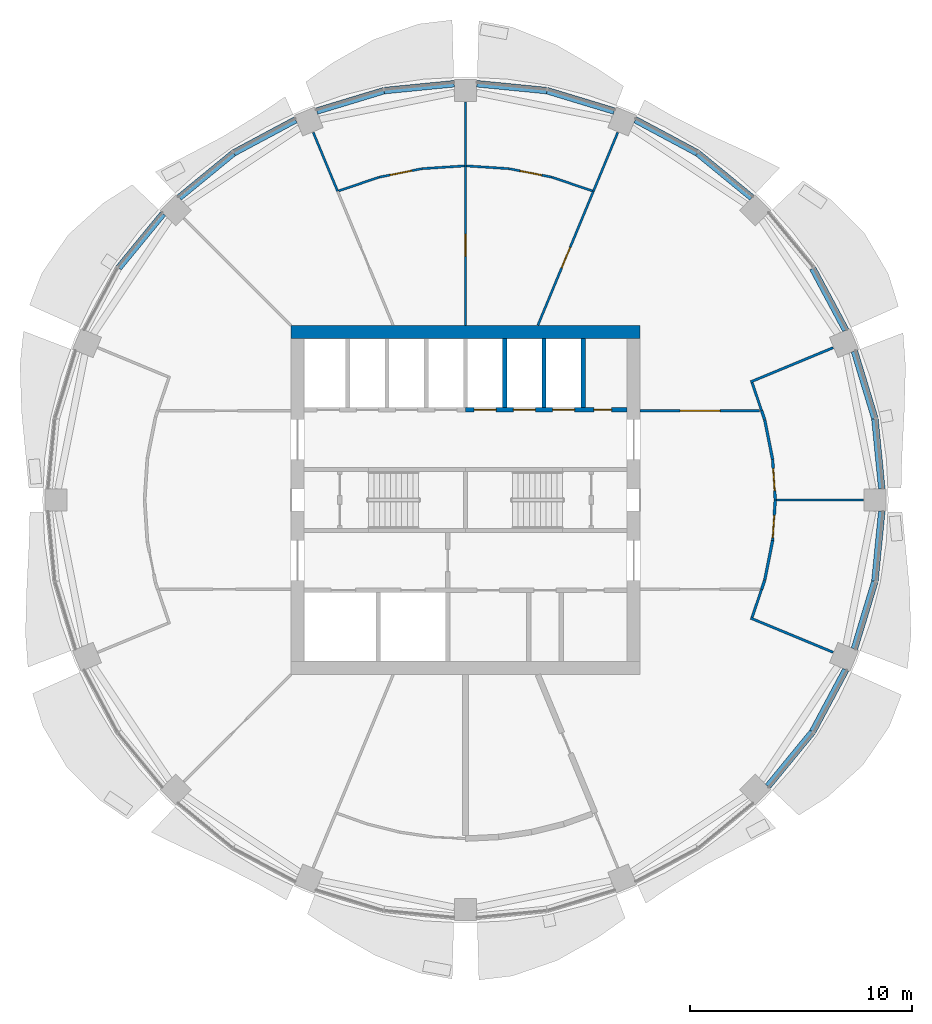
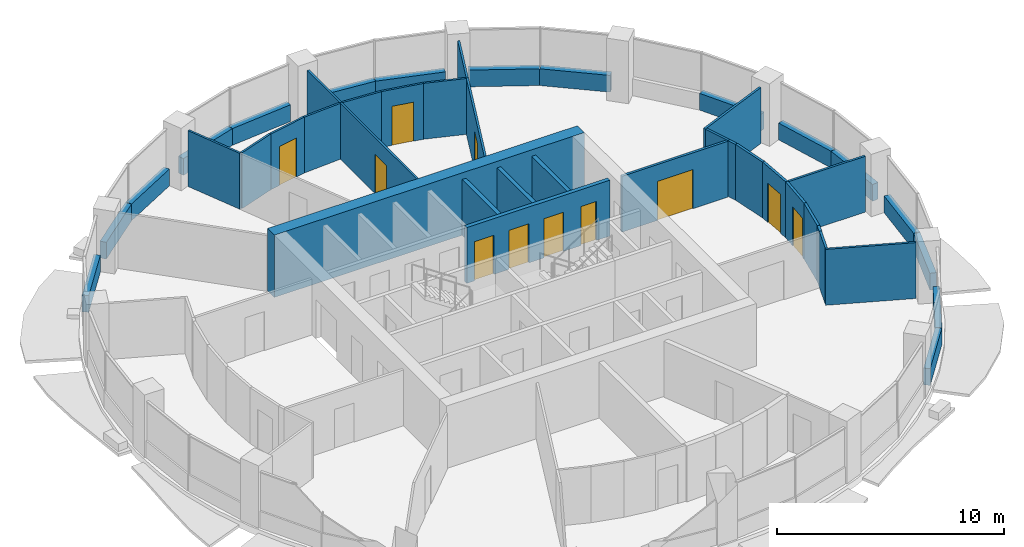
# One storey, part 10 of 15: 44 walls, 11 doors, 11 openings.
"""IFC4 building model written with IfcOpenShell, lengths in metres."""

from ifc_helpers import new_model, si_unit, direction, frame, frame_2d, origin, place, context, subcontext, project, spatial, rectangle, extrude, material, layer, layer_set, type_object, element, fill, save


model = new_model("IFC4")

# Units and contexts
model_context = context("Model", 3, precision=1e-05, world=origin(), true_north=direction((0.0, 1.0)))
body_context = subcontext(model_context, "Body", "Model", "MODEL_VIEW")
ifc_project = project(units=[si_unit("LENGTHUNIT", "METRE"), si_unit("AREAUNIT", "SQUARE_METRE"), si_unit("VOLUMEUNIT", "CUBIC_METRE"), si_unit("PLANEANGLEUNIT", "RADIAN"), si_unit("MASSUNIT", "GRAM", prefix="KILO")], contexts=[model_context])

# Site, building, storey
site_placement = place(None, origin())
site = spatial("IfcSite", under=ifc_project, at=site_placement, CompositionType="ELEMENT")
building_placement = place(site_placement, origin())
building = spatial("IfcBuilding", under=site, at=building_placement, Name="Polderwave Tower", CompositionType="ELEMENT")
storey_placement = place(building_placement, frame((0.0, 0.0, 127.64990234375)))
storey = spatial("IfcBuildingStorey", under=building, at=storey_placement, Name="L33", CompositionType="ELEMENT", Elevation=127.64990234375)

# Walls
ifc_material_1 = material(Name="Concrete C60/75", Category="concrete")
ifc_layer_1 = layer(ifc_material_1, 0.60009765625)
ifc_layer_set_1 = layer_set([ifc_layer_1], Name="CORE WALL 600 C60/75")
wall_type_1 = type_object("IfcWallType", Name="CORE WALL 600 C60/75", PredefinedType="SHEAR", material=ifc_layer_set_1)
wall_1_placement = place(storey_placement, frame((-7.8740234375, 7.573974609375, 0.0), z_axis=(0.0, 0.0, 1.0), x_axis=(1.0, 0.0, 0.0)))
element("IfcWall", 1, at=wall_1_placement, inside=storey, type_object=wall_type_1, Name="ST-CORE-L33-N", PredefinedType="SHEAR", context=body_context, shape_type="SweptSolid", body=[
    extrude(rectangle(XDim=15.748046875, YDim=0.60009765625, at=frame_2d((7.8740234375, 0.0))), origin(), (0.0, 0.0, 1.0), 3.35009765625),
])
ifc_material_2 = material(Name="Concrete C50/60 (board-marked)", Category="concrete")
ifc_layer_2 = layer(ifc_material_2, 0.300048828125)
ifc_layer_set_2 = layer_set([ifc_layer_2], Name="Concrete spandrel upstand C50/60")
wall_type_2 = type_object("IfcWallType", Name="Concrete spandrel upstand C50/60", PredefinedType="SOLIDWALL", material=ifc_layer_set_2)
wall_2_placement = place(storey_placement, frame((18.759521484375, 0.513916015625, 0.0), z_axis=(0.0, 0.0, 1.0), x_axis=(-0.097956108817, 0.995190735862, 0.0)))
element("IfcWall", 2, at=wall_2_placement, inside=storey, type_object=wall_type_2, Name="Spandrel L33 1a", PredefinedType="SOLIDWALL", context=body_context, shape_type="SweptSolid", body=[
    extrude(rectangle(XDim=3.1552734375, YDim=0.300048828125, at=frame_2d((1.57763671875, 0.0))), origin(), (0.0, 0.0, 1.0), 0.900146484375),
])
wall_3_placement = place(storey_placement, frame((18.444580078125, 3.683349609375, 0.0), z_axis=(0.0, 0.0, 1.0), x_axis=(-0.290503096001, 0.956874051907, 0.0)))
element("IfcWall", 3, at=wall_3_placement, inside=storey, type_object=wall_type_2, Name="Spandrel L33 1b", PredefinedType="SOLIDWALL", context=body_context, shape_type="SweptSolid", body=[
    extrude(rectangle(XDim=3.157470703125, YDim=0.300048828125, at=frame_2d((1.57861328125, 0.0))), origin(), (0.0, 0.0, 1.0), 0.900146484375),
])
wall_4_placement = place(storey_placement, frame((17.135009765625, 7.654296875, 0.0), z_axis=(0.0, 0.0, 1.0), x_axis=(-0.471527722113, 0.881851238747, 0.0)))
element("IfcWall", 4, at=wall_4_placement, inside=storey, type_object=wall_type_2, Name="Spandrel L33 2a", PredefinedType="SOLIDWALL", context=body_context, shape_type="SweptSolid", body=[
    extrude(rectangle(XDim=3.1552734375, YDim=0.300048828125, at=frame_2d((1.57763671875, 0.0))), origin(), (0.0, 0.0, 1.0), 0.900146484375),
])
wall_5_placement = place(storey_placement, frame((12.90234375, 13.62841796875, 0.0), z_axis=(0.0, 0.0, 1.0), x_axis=(-0.773136573193, 0.634239575548, 0.0)))
element("IfcWall", 5, at=wall_5_placement, inside=storey, type_object=wall_type_2, Name="Spandrel L33 3a", PredefinedType="SOLIDWALL", context=body_context, shape_type="SweptSolid", body=[
    extrude(rectangle(XDim=3.15673828125, YDim=0.300048828125, at=frame_2d((1.578369140625, 0.0))), origin(), (0.0, 0.0, 1.0), 0.900146484375),
])
wall_6_placement = place(storey_placement, frame((10.436767578125, 15.647216796875, 0.0), z_axis=(0.0, 0.0, 1.0), x_axis=(-0.881851238747, 0.471527722113, 0.0)))
element("IfcWall", 6, at=wall_6_placement, inside=storey, type_object=wall_type_2, Name="Spandrel L33 3b", PredefinedType="SOLIDWALL", context=body_context, shape_type="SweptSolid", body=[
    extrude(rectangle(XDim=3.1552734375, YDim=0.300048828125, at=frame_2d((1.57763671875, 0.0))), origin(), (0.0, 0.0, 1.0), 0.900146484375),
])
wall_7_placement = place(storey_placement, frame((6.70458984375, 17.52734375, 0.0), z_axis=(0.0, 0.0, 1.0), x_axis=(-0.956874051907, 0.290503096001, 0.0)))
element("IfcWall", 7, at=wall_7_placement, inside=storey, type_object=wall_type_2, Name="Spandrel L33 4a", PredefinedType="SOLIDWALL", context=body_context, shape_type="SweptSolid", body=[
    extrude(rectangle(XDim=3.157470703125, YDim=0.300048828125, at=frame_2d((1.57861328125, 0.0))), origin(), (0.0, 0.0, 1.0), 0.900146484375),
])
for number, where, z_axis, x_axis, name in (
    (8, (3.654052734375, 18.450439453125, 0.0), (0.0, 0.0, 1.0), (-0.995190735862, 0.097956108817, 0.0), "Spandrel L33 4b"),
    (9, (-0.513916015625, 18.759521484375, 0.0), (0.0, 0.0, 1.0), (-0.995190735862, -0.097956108817, 0.0), "Spandrel L33 5a"),
):
    element("IfcWall", number, at=place(storey_placement, frame(where, z_axis=z_axis, x_axis=x_axis)), inside=storey, type_object=wall_type_2, Name=name, PredefinedType="SOLIDWALL", context=body_context, shape_type="SweptSolid", body=[
        extrude(rectangle(XDim=3.1552734375, YDim=0.300048828125, at=frame_2d((1.57763671875, 0.0))), origin(), (0.0, 0.0, 1.0), 0.900146484375),
    ])
wall_8_placement = place(storey_placement, frame((-3.683349609375, 18.444580078125, 0.0), z_axis=(0.0, 0.0, 1.0), x_axis=(-0.956874051907, -0.290503096001, 0.0)))
element("IfcWall", 10, at=wall_8_placement, inside=storey, type_object=wall_type_2, Name="Spandrel L33 5b", PredefinedType="SOLIDWALL", context=body_context, shape_type="SweptSolid", body=[
    extrude(rectangle(XDim=3.157470703125, YDim=0.300048828125, at=frame_2d((1.57861328125, 0.0))), origin(), (0.0, 0.0, 1.0), 0.900146484375),
])
wall_9_placement = place(storey_placement, frame((-7.654296875, 17.135009765625, 0.0), z_axis=(0.0, 0.0, 1.0), x_axis=(-0.881851238747, -0.471527722113, 0.0)))
element("IfcWall", 11, at=wall_9_placement, inside=storey, type_object=wall_type_2, Name="Spandrel L33 6a", PredefinedType="SOLIDWALL", context=body_context, shape_type="SweptSolid", body=[
    extrude(rectangle(XDim=3.1552734375, YDim=0.300048828125, at=frame_2d((1.57763671875, 0.0))), origin(), (0.0, 0.0, 1.0), 0.900146484375),
])
for number, where, z_axis, x_axis, name in (
    (12, (-10.461669921875, 15.630615234375, 0.0), (0.0, 0.0, 1.0), (-0.773136573193, -0.634239575548, 0.0), "Spandrel L33 6b"),
    (13, (-13.62841796875, 12.90234375, 0.0), (0.0, 0.0, 1.0), (-0.634239575548, -0.773136573193, 0.0), "Spandrel L33 7a"),
    (14, (13.62841796875, -12.90234375, 0.0), (0.0, 0.0, 1.0), (0.634239575548, 0.773136573193, 0.0), "Spandrel L33 15a"),
):
    element("IfcWall", number, at=place(storey_placement, frame(where, z_axis=z_axis, x_axis=x_axis)), inside=storey, type_object=wall_type_2, Name=name, PredefinedType="SOLIDWALL", context=body_context, shape_type="SweptSolid", body=[
        extrude(rectangle(XDim=3.15673828125, YDim=0.300048828125, at=frame_2d((1.578369140625, 0.0))), origin(), (0.0, 0.0, 1.0), 0.900146484375),
    ])
wall_10_placement = place(storey_placement, frame((15.647216796875, -10.436767578125, 0.0), z_axis=(0.0, 0.0, 1.0), x_axis=(0.471527722113, 0.881851238747, 0.0)))
element("IfcWall", 15, at=wall_10_placement, inside=storey, type_object=wall_type_2, Name="Spandrel L33 15b", PredefinedType="SOLIDWALL", context=body_context, shape_type="SweptSolid", body=[
    extrude(rectangle(XDim=3.1552734375, YDim=0.300048828125, at=frame_2d((1.57763671875, 0.0))), origin(), (0.0, 0.0, 1.0), 0.900146484375),
])
wall_11_placement = place(storey_placement, frame((17.52734375, -6.70458984375, 0.0), z_axis=(0.0, 0.0, 1.0), x_axis=(0.290503096001, 0.956874051907, 0.0)))
element("IfcWall", 16, at=wall_11_placement, inside=storey, type_object=wall_type_2, Name="Spandrel L33 16a", PredefinedType="SOLIDWALL", context=body_context, shape_type="SweptSolid", body=[
    extrude(rectangle(XDim=3.157470703125, YDim=0.300048828125, at=frame_2d((1.57861328125, 0.0))), origin(), (0.0, 0.0, 1.0), 0.900146484375),
])
wall_12_placement = place(storey_placement, frame((18.450439453125, -3.654052734375, 0.0), z_axis=(0.0, 0.0, 1.0), x_axis=(0.097956108817, 0.995190735862, 0.0)))
element("IfcWall", 17, at=wall_12_placement, inside=storey, type_object=wall_type_2, Name="Spandrel L33 16b", PredefinedType="SOLIDWALL", context=body_context, shape_type="SweptSolid", body=[
    extrude(rectangle(XDim=3.1552734375, YDim=0.300048828125, at=frame_2d((1.57763671875, 0.0))), origin(), (0.0, 0.0, 1.0), 0.900146484375),
])

# Wall, openings, doors
ifc_material_3 = material(Name="Concrete C50/60", Category="concrete")
ifc_layer_3 = layer(ifc_material_3, 0.199951171875)
ifc_layer_set_3 = layer_set([ifc_layer_3], Name="Core web wall 200")
wall_type_3 = type_object("IfcWallType", Name="Core web wall 200", PredefinedType="SHEAR", material=ifc_layer_set_3)
wall_13_placement = place(storey_placement, frame((0.0, 4.073974609375, 0.0), z_axis=(0.0, 0.0, 1.0), x_axis=(1.0, 0.0, 0.0)))
wall_13 = element("IfcWall", 18, at=wall_13_placement, inside=storey, type_object=wall_type_3, Name="L33 north front wall 2", PredefinedType="SHEAR", context=body_context, shape_type="SweptSolid", body=[
    extrude(rectangle(XDim=7.27392578125, YDim=0.199951171875, at=frame_2d((3.636962890625, 0.0))), origin(), (0.0, 0.0, 1.0), 3.0),
])
opening_1_placement = place(wall_13_placement, frame((0.38427734375, 0.0, 0.0)))
opening_1 = element("IfcOpeningElement", 19, at=opening_1_placement, cuts=wall_13, Name="Opening L33-D07", PredefinedType="OPENING", context=body_context, shape_type="SweptSolid", body=[
    extrude(rectangle(XDim=1.0, YDim=2.10009765625, at=frame_2d((0.5, 1.050048828125))), frame((0.0, 0.10986328125, 0.0), z_axis=(0.0, -1.0, 0.0), x_axis=(1.0, 0.0, 0.0)), (0.0, 0.0, 1.0), 0.219970703125),
])
opening_2_placement = place(wall_13_placement, frame((2.15283203125, 0.0, 0.0)))
opening_2 = element("IfcOpeningElement", 20, at=opening_2_placement, cuts=wall_13, Name="Opening L33-D08", PredefinedType="OPENING", context=body_context, shape_type="SweptSolid", body=[
    extrude(rectangle(XDim=1.0, YDim=2.10009765625, at=frame_2d((0.5, 1.050048828125))), frame((0.0, 0.10986328125, 0.0), z_axis=(0.0, -1.0, 0.0), x_axis=(1.0, 0.0, 0.0)), (0.0, 0.0, 1.0), 0.219970703125),
])
opening_3_placement = place(wall_13_placement, frame((3.921142578125, 0.0, 0.0)))
opening_3 = element("IfcOpeningElement", 21, at=opening_3_placement, cuts=wall_13, Name="Opening L33-D09", PredefinedType="OPENING", context=body_context, shape_type="SweptSolid", body=[
    extrude(rectangle(XDim=1.0, YDim=2.10009765625, at=frame_2d((0.5, 1.050048828125))), frame((0.0, 0.10986328125, 0.0), z_axis=(0.0, -1.0, 0.0), x_axis=(1.0, 0.0, 0.0)), (0.0, 0.0, 1.0), 0.219970703125),
])
opening_4_placement = place(wall_13_placement, frame((5.789794921875, 0.0, 0.0)))
opening_4 = element("IfcOpeningElement", 22, at=opening_4_placement, cuts=wall_13, Name="Opening L33-D18", PredefinedType="OPENING", context=body_context, shape_type="SweptSolid", body=[
    extrude(rectangle(XDim=0.800048828125, YDim=2.10009765625, at=frame_2d((0.39990234375, 1.050048828125))), frame((0.0, 0.10986328125, 0.0), z_axis=(0.0, -1.0, 0.0), x_axis=(1.0, 0.0, 0.0)), (0.0, 0.0, 1.0), 0.219970703125),
])
ifc_material_4 = material(Name="Stainless steel", Category="steel")
door_type_1 = type_object("IfcDoorType", Name="Lift landing door 1000", OperationType="DOUBLE_DOOR_SLIDING", PredefinedType="DOOR", material=ifc_material_4)
door_1_placement = place(opening_1_placement, frame((1.0, 0.0, 0.0), z_axis=(0.0, 0.0, 1.0), x_axis=(-1.0, 0.0, 0.0)))
door_1 = element("IfcDoor", 23, at=door_1_placement, inside=storey, type_object=door_type_1, Name="Lift HL5 landing door", OperationType="DOUBLE_DOOR_SLIDING", OverallHeight=2.10009765625, OverallWidth=1.0, PredefinedType="DOOR", context=body_context, shape_type="SweptSolid", body=[
    extrude(rectangle(XDim=1.0, YDim=2.10009765625, at=frame_2d((0.5, 1.050048828125))), frame((0.0, 0.02490234375, 0.0), z_axis=(0.0, -1.0, 0.0), x_axis=(1.0, 0.0, 0.0)), (0.0, 0.0, 1.0), 0.050048828125),
])
fill(opening_1, door_1)
door_2_placement = place(opening_2_placement, frame((1.0, 0.0, 0.0), z_axis=(0.0, 0.0, 1.0), x_axis=(-1.0, 0.0, 0.0)))
door_2 = element("IfcDoor", 24, at=door_2_placement, inside=storey, type_object=door_type_1, Name="Lift HL6 landing door", OperationType="DOUBLE_DOOR_SLIDING", OverallHeight=2.10009765625, OverallWidth=1.0, PredefinedType="DOOR", context=body_context, shape_type="SweptSolid", body=[
    extrude(rectangle(XDim=1.0, YDim=2.10009765625, at=frame_2d((0.5, 1.050048828125))), frame((0.0, 0.02490234375, 0.0), z_axis=(0.0, -1.0, 0.0), x_axis=(1.0, 0.0, 0.0)), (0.0, 0.0, 1.0), 0.050048828125),
])
fill(opening_2, door_2)
door_3_placement = place(opening_3_placement, frame((1.0, 0.0, 0.0), z_axis=(0.0, 0.0, 1.0), x_axis=(-1.0, 0.0, 0.0)))
door_3 = element("IfcDoor", 25, at=door_3_placement, inside=storey, type_object=door_type_1, Name="Lift HL7 landing door", OperationType="DOUBLE_DOOR_SLIDING", OverallHeight=2.10009765625, OverallWidth=1.0, PredefinedType="DOOR", context=body_context, shape_type="SweptSolid", body=[
    extrude(rectangle(XDim=1.0, YDim=2.10009765625, at=frame_2d((0.5, 1.050048828125))), frame((0.0, 0.02490234375, 0.0), z_axis=(0.0, -1.0, 0.0), x_axis=(1.0, 0.0, 0.0)), (0.0, 0.0, 1.0), 0.050048828125),
])
fill(opening_3, door_3)
ifc_material_5 = material(Name="Steel fire door", Category="steel")
door_type_2 = type_object("IfcDoorType", Name="Riser door 800", OperationType="NOTDEFINED", PredefinedType="DOOR", material=ifc_material_5)
door_4_placement = place(opening_4_placement, frame((0.800048828125, 0.0, 0.0), z_axis=(0.0, 0.0, 1.0), x_axis=(-1.0, 0.0, 0.0)))
door_4 = element("IfcDoor", 26, at=door_4_placement, inside=storey, type_object=door_type_2, Name="Riser door", OperationType="SINGLE_SWING_LEFT", OverallHeight=2.10009765625, OverallWidth=0.800048828125, PredefinedType="DOOR", context=body_context, shape_type="SweptSolid", body=[
    extrude(rectangle(XDim=0.800048828125, YDim=2.10009765625, at=frame_2d((0.39990234375, 1.050048828125))), frame((0.0, 0.02490234375, 0.0), z_axis=(0.0, -1.0, 0.0), x_axis=(1.0, 0.0, 0.0)), (0.0, 0.0, 1.0), 0.050048828125),
])
fill(opening_4, door_4)

# Walls
ifc_material_6 = material(Name="Fire-resisting board on steel studs", Category="steel")
ifc_layer_4 = layer(ifc_material_6, 0.125)
ifc_layer_set_4 = layer_set([ifc_layer_4], Name="Corridor wall 125 mm EI 60")
wall_type_4 = type_object("IfcWallType", Name="Corridor wall 125 mm EI 60", PredefinedType="PARTITIONING", material=ifc_layer_set_4)
wall_14_placement = place(storey_placement, frame((13.3447265625, 4.0244140625, 0.0), z_axis=(0.0, 0.0, 1.0), x_axis=(0.321160043658, -0.947024934391, 0.0)))
element("IfcWall", 27, at=wall_14_placement, inside=storey, type_object=wall_type_4, Name="IN-L33-W001", PredefinedType="PARTITIONING", context=body_context, shape_type="SweptSolid", body=[
    extrude(rectangle(XDim=0.43017578125, YDim=0.125, at=frame_2d((0.215087890625, 0.0))), origin(), (0.0, 0.0, 1.0), 3.0),
])
wall_15_placement = place(storey_placement, frame((13.485107421875, 3.609130859375, 0.0), z_axis=(0.0, 0.0, 1.0), x_axis=(0.195134630283, -0.980776465901, 0.0)))
element("IfcWall", 28, at=wall_15_placement, inside=storey, type_object=wall_type_4, Name="IN-L33-W002", PredefinedType="PARTITIONING", context=body_context, shape_type="SweptSolid", body=[
    extrude(rectangle(XDim=1.81787109375, YDim=0.125, at=frame_2d((0.908935546875, 0.0))), origin(), (0.0, 0.0, 1.0), 3.0),
])

# Wall, opening, door
wall_16_placement = place(storey_placement, frame((13.8408203125, 1.818115234375, 0.0), z_axis=(0.0, 0.0, 1.0), x_axis=(0.065389497851, -0.997859816593, 0.0)))
wall_16 = element("IfcWall", 29, at=wall_16_placement, inside=storey, type_object=wall_type_4, Name="IN-L33-W003", PredefinedType="PARTITIONING", context=body_context, shape_type="SweptSolid", body=[
    extrude(rectangle(XDim=1.822021484375, YDim=0.125, at=frame_2d((0.9111328125, 0.0))), origin(), (0.0, 0.0, 1.0), 3.0),
])
opening_5_placement = place(wall_16_placement, frame((0.39990234375, 0.0, 0.0)))
opening_5 = element("IfcOpeningElement", 30, at=opening_5_placement, cuts=wall_16, Name="Opening L33-D50", PredefinedType="OPENING", context=body_context, shape_type="SweptSolid", body=[
    extrude(rectangle(XDim=1.0, YDim=2.10009765625, at=frame_2d((0.5, 1.050048828125))), frame((0.0, 0.072509765625, 0.0), z_axis=(0.0, -1.0, 0.0), x_axis=(1.0, 0.0, 0.0)), (0.0, 0.0, 1.0), 0.14501953125),
])
ifc_material_7 = material(Name="Timber fire door leaf", Category="wood")
door_type_3 = type_object("IfcDoorType", Name="Fire door FD30S 1000 x 2100", OperationType="NOTDEFINED", PredefinedType="DOOR", material=ifc_material_7)
door_5_placement = place(opening_5_placement, origin())
door_5 = element("IfcDoor", 31, at=door_5_placement, inside=storey, type_object=door_type_3, Name="Door L33-D50", OperationType="SINGLE_SWING_LEFT", OverallHeight=2.10009765625, OverallWidth=1.0, PredefinedType="DOOR", context=body_context, shape_type="SweptSolid", body=[
    extrude(rectangle(XDim=1.0, YDim=2.10009765625, at=frame_2d((0.5, 1.050048828125))), frame((0.0, 0.02490234375, 0.0), z_axis=(0.0, -1.0, 0.0), x_axis=(1.0, 0.0, 0.0)), (0.0, 0.0, 1.0), 0.050048828125),
])
fill(opening_5, door_5)

wall_17_placement = place(storey_placement, frame((7.8740234375, 4.0244140625, 0.0), z_axis=(0.0, 0.0, 1.0), x_axis=(1.0, 0.0, 0.0)))
wall_17 = element("IfcWall", 32, at=wall_17_placement, inside=storey, type_object=wall_type_4, Name="IN-L33-W004", PredefinedType="PARTITIONING", context=body_context, shape_type="SweptSolid", body=[
    extrude(rectangle(XDim=5.383544921875, YDim=0.125, at=frame_2d((2.69189453125, 0.0))), origin(), (0.0, 0.0, 1.0), 3.0),
])
opening_6_placement = place(wall_17_placement, frame((1.800048828125, 0.0, 0.0)))
opening_6 = element("IfcOpeningElement", 33, at=opening_6_placement, cuts=wall_17, Name="Opening L33-D51", PredefinedType="OPENING", context=body_context, shape_type="SweptSolid", body=[
    extrude(rectangle(XDim=1.800048828125, YDim=2.10009765625, at=frame_2d((0.89990234375, 1.050048828125))), frame((0.0, 0.072509765625, 0.0), z_axis=(0.0, -1.0, 0.0), x_axis=(1.0, 0.0, 0.0)), (0.0, 0.0, 1.0), 0.14501953125),
])
ifc_material_8 = material(Name="Timber fire door leaves", Category="wood")
door_type_4 = type_object("IfcDoorType", Name="Double fire door FD30S 1800 x 2100", OperationType="NOTDEFINED", PredefinedType="DOOR", material=ifc_material_8)
door_6_placement = place(opening_6_placement, origin())
door_6 = element("IfcDoor", 34, at=door_6_placement, inside=storey, type_object=door_type_4, Name="Door L33-D51", OperationType="DOUBLE_DOOR_SINGLE_SWING", OverallHeight=2.10009765625, OverallWidth=1.800048828125, PredefinedType="DOOR", context=body_context, shape_type="SweptSolid", body=[
    extrude(rectangle(XDim=1.800048828125, YDim=2.10009765625, at=frame_2d((0.89990234375, 1.050048828125))), frame((0.0, 0.02490234375, 0.0), z_axis=(0.0, -1.0, 0.0), x_axis=(1.0, 0.0, 0.0)), (0.0, 0.0, 1.0), 0.050048828125),
])
fill(opening_6, door_6)

# Walls
wall_18_placement = place(storey_placement, frame((13.48291015625, -3.616943359375, 0.0), z_axis=(0.0, 0.0, 1.0), x_axis=(-0.321160043658, -0.947024934391, 0.0)))
element("IfcWall", 35, at=wall_18_placement, inside=storey, type_object=wall_type_4, Name="IN-L33-W006", PredefinedType="PARTITIONING", context=body_context, shape_type="SweptSolid", body=[
    extrude(rectangle(XDim=0.43017578125, YDim=0.125, at=frame_2d((0.215087890625, 0.0))), origin(), (0.0, 0.0, 1.0), 3.0),
])
wall_19_placement = place(storey_placement, frame((13.83984375, -1.826171875, 0.0), z_axis=(0.0, 0.0, 1.0), x_axis=(-0.195134630283, -0.980776465901, 0.0)))
element("IfcWall", 36, at=wall_19_placement, inside=storey, type_object=wall_type_4, Name="IN-L33-W007", PredefinedType="PARTITIONING", context=body_context, shape_type="SweptSolid", body=[
    extrude(rectangle(XDim=1.81787109375, YDim=0.125, at=frame_2d((0.908935546875, 0.0))), origin(), (0.0, 0.0, 1.0), 3.0),
])

# Wall, opening, door
wall_20_placement = place(storey_placement, frame((13.9599609375, 0.0, 0.0), z_axis=(0.0, 0.0, 1.0), x_axis=(-0.065389497851, -0.997859816593, 0.0)))
wall_20 = element("IfcWall", 37, at=wall_20_placement, inside=storey, type_object=wall_type_4, Name="IN-L33-W008", PredefinedType="PARTITIONING", context=body_context, shape_type="SweptSolid", body=[
    extrude(rectangle(XDim=1.822021484375, YDim=0.125, at=frame_2d((0.9111328125, 0.0))), origin(), (0.0, 0.0, 1.0), 3.0),
])
opening_7_placement = place(wall_20_placement, frame((0.699951171875, 0.0, 0.0)))
opening_7 = element("IfcOpeningElement", 38, at=opening_7_placement, cuts=wall_20, Name="Opening L33-D53", PredefinedType="OPENING", context=body_context, shape_type="SweptSolid", body=[
    extrude(rectangle(XDim=1.0, YDim=2.10009765625, at=frame_2d((0.5, 1.050048828125))), frame((0.0, 0.072509765625, 0.0), z_axis=(0.0, -1.0, 0.0), x_axis=(1.0, 0.0, 0.0)), (0.0, 0.0, 1.0), 0.14501953125),
])
door_7_placement = place(opening_7_placement, origin())
door_7 = element("IfcDoor", 39, at=door_7_placement, inside=storey, type_object=door_type_3, Name="Door L33-D53", OperationType="SINGLE_SWING_RIGHT", OverallHeight=2.10009765625, OverallWidth=1.0, PredefinedType="DOOR", context=body_context, shape_type="SweptSolid", body=[
    extrude(rectangle(XDim=1.0, YDim=2.10009765625, at=frame_2d((0.5, 1.050048828125))), frame((0.0, 0.02490234375, 0.0), z_axis=(0.0, -1.0, 0.0), x_axis=(1.0, 0.0, 0.0)), (0.0, 0.0, 1.0), 0.050048828125),
])
fill(opening_7, door_7)

ifc_material_9 = material(Name="Plasterboard on steel studs", Category="steel")
ifc_layer_5 = layer(ifc_material_9, 0.10009765625)
ifc_layer_set_5 = layer_set([ifc_layer_5], Name="Partition 100 mm plasterboard on steel studs")
wall_type_5 = type_object("IfcWallType", Name="Partition 100 mm plasterboard on steel studs", PredefinedType="PARTITIONING", material=ifc_layer_set_5)
wall_21_placement = place(storey_placement, frame((3.261474609375, 7.8740234375, 0.0), z_axis=(0.0, 0.0, 1.0), x_axis=(0.382689326263, 0.923877091157, 0.0)))
wall_21 = element("IfcWall", 40, at=wall_21_placement, inside=storey, type_object=wall_type_5, Name="IN-L33-W020", PredefinedType="PARTITIONING", context=body_context, shape_type="SweptSolid", body=[
    extrude(rectangle(XDim=6.537109375, YDim=0.10009765625, at=frame_2d((3.2685546875, 0.0))), origin(), (0.0, 0.0, 1.0), 3.0),
])
opening_8_placement = place(wall_21_placement, frame((2.800048828125, 0.0, 0.0)))
opening_8 = element("IfcOpeningElement", 41, at=opening_8_placement, cuts=wall_21, Name="Opening L33-D57", PredefinedType="OPENING", context=body_context, shape_type="SweptSolid", body=[
    extrude(rectangle(XDim=1.0, YDim=2.10009765625, at=frame_2d((0.5, 1.050048828125))), frame((0.0, 0.06005859375, 0.0), z_axis=(0.0, -1.0, 0.0), x_axis=(1.0, 0.0, 0.0)), (0.0, 0.0, 1.0), 0.1201171875),
])
ifc_material_10 = material(Name="Timber veneer door leaf", Category="wood")
door_type_5 = type_object("IfcDoorType", Name="Single door 1000 x 2100", OperationType="NOTDEFINED", PredefinedType="DOOR", material=ifc_material_10)
door_8_placement = place(opening_8_placement, origin())
door_8 = element("IfcDoor", 42, at=door_8_placement, inside=storey, type_object=door_type_5, Name="Door L33-D57", OperationType="SINGLE_SWING_RIGHT", OverallHeight=2.10009765625, OverallWidth=1.0, PredefinedType="DOOR", context=body_context, shape_type="SweptSolid", body=[
    extrude(rectangle(XDim=1.0, YDim=2.10009765625, at=frame_2d((0.5, 1.050048828125))), frame((0.0, 0.02490234375, 0.0), z_axis=(0.0, -1.0, 0.0), x_axis=(1.0, 0.0, 0.0)), (0.0, 0.0, 1.0), 0.050048828125),
])
fill(opening_8, door_8)

# Walls
wall_22_placement = place(storey_placement, frame((5.76318359375, 13.91357421875, 0.0), z_axis=(0.0, 0.0, 1.0), x_axis=(0.382699877515, 0.923872720536, 0.0)))
element("IfcWall", 43, at=wall_22_placement, inside=storey, type_object=wall_type_5, Name="IN-L33-W021", PredefinedType="PARTITIONING", context=body_context, shape_type="SweptSolid", body=[
    extrude(rectangle(XDim=2.8701171875, YDim=0.10009765625, at=frame_2d((1.43505859375, 0.0))), origin(), (0.0, 0.0, 1.0), 3.0),
])
wall_23_placement = place(storey_placement, frame((0.05322265625, 15.056396484375, 0.0), z_axis=(0.0, 0.0, 1.0), x_axis=(0.997863500095, -0.06533326241, 0.0)))
element("IfcWall", 44, at=wall_23_placement, inside=storey, type_object=wall_type_5, Name="IN-L33-W022", PredefinedType="PARTITIONING", context=body_context, shape_type="SweptSolid", body=[
    extrude(rectangle(XDim=1.913330078125, YDim=0.10009765625, at=frame_2d((0.95654296875, 0.0))), origin(), (0.0, 0.0, 1.0), 3.0),
])

# Wall, opening, door
wall_24_placement = place(storey_placement, frame((1.968994140625, 14.9306640625, 0.0), z_axis=(0.0, 0.0, 1.0), x_axis=(0.980757237699, -0.195231249295, 0.0)))
wall_24 = element("IfcWall", 45, at=wall_24_placement, inside=storey, type_object=wall_type_5, Name="IN-L33-W023", PredefinedType="PARTITIONING", context=body_context, shape_type="SweptSolid", body=[
    extrude(rectangle(XDim=1.96337890625, YDim=0.10009765625, at=frame_2d((0.981689453125, 0.0))), origin(), (0.0, 0.0, 1.0), 3.0),
])
opening_9_placement = place(wall_24_placement, frame((0.5, 0.0, 0.0)))
opening_9 = element("IfcOpeningElement", 46, at=opening_9_placement, cuts=wall_24, Name="Opening L33-D58", PredefinedType="OPENING", context=body_context, shape_type="SweptSolid", body=[
    extrude(rectangle(XDim=1.0, YDim=2.10009765625, at=frame_2d((0.5, 1.050048828125))), frame((0.0, 0.06005859375, 0.0), z_axis=(0.0, -1.0, 0.0), x_axis=(1.0, 0.0, 0.0)), (0.0, 0.0, 1.0), 0.1201171875),
])
door_9_placement = place(opening_9_placement, origin())
door_9 = element("IfcDoor", 47, at=door_9_placement, inside=storey, type_object=door_type_5, Name="Door L33-D58", OperationType="SINGLE_SWING_RIGHT", OverallHeight=2.10009765625, OverallWidth=1.0, PredefinedType="DOOR", context=body_context, shape_type="SweptSolid", body=[
    extrude(rectangle(XDim=1.0, YDim=2.10009765625, at=frame_2d((0.5, 1.050048828125))), frame((0.0, 0.02490234375, 0.0), z_axis=(0.0, -1.0, 0.0), x_axis=(1.0, 0.0, 0.0)), (0.0, 0.0, 1.0), 0.050048828125),
])
fill(opening_9, door_9)

# Wall
wall_25_placement = place(storey_placement, frame((3.90087890625, 14.545654296875, 0.0), z_axis=(0.0, 0.0, 1.0), x_axis=(0.946972460269, -0.321314735879, 0.0)))
element("IfcWall", 48, at=wall_25_placement, inside=storey, type_object=wall_type_5, Name="IN-L33-W024", PredefinedType="PARTITIONING", context=body_context, shape_type="SweptSolid", body=[
    extrude(rectangle(XDim=1.913330078125, YDim=0.10009765625, at=frame_2d((0.95654296875, 0.0))), origin(), (0.0, 0.0, 1.0), 3.0),
])

# Wall, opening, door
wall_26_placement = place(storey_placement, frame((0.0, 7.8740234375, 0.0), z_axis=(0.0, 0.0, 1.0), x_axis=(0.0, 1.0, 0.0)))
wall_26 = element("IfcWall", 49, at=wall_26_placement, inside=storey, type_object=wall_type_5, Name="IN-L33-W025", PredefinedType="PARTITIONING", context=body_context, shape_type="SweptSolid", body=[
    extrude(rectangle(XDim=7.18603515625, YDim=0.10009765625, at=frame_2d((3.593017578125, 0.0))), origin(), (0.0, 0.0, 1.0), 3.0),
])
opening_10_placement = place(wall_26_placement, frame((3.10009765625, 0.0, 0.0)))
opening_10 = element("IfcOpeningElement", 50, at=opening_10_placement, cuts=wall_26, Name="Opening L33-D59", PredefinedType="OPENING", context=body_context, shape_type="SweptSolid", body=[
    extrude(rectangle(XDim=1.0, YDim=2.10009765625, at=frame_2d((0.5, 1.050048828125))), frame((0.0, 0.06005859375, 0.0), z_axis=(0.0, -1.0, 0.0), x_axis=(1.0, 0.0, 0.0)), (0.0, 0.0, 1.0), 0.1201171875),
])
door_10_placement = place(opening_10_placement, origin())
door_10 = element("IfcDoor", 51, at=door_10_placement, inside=storey, type_object=door_type_5, Name="Door L33-D59", OperationType="SINGLE_SWING_RIGHT", OverallHeight=2.10009765625, OverallWidth=1.0, PredefinedType="DOOR", context=body_context, shape_type="SweptSolid", body=[
    extrude(rectangle(XDim=1.0, YDim=2.10009765625, at=frame_2d((0.5, 1.050048828125))), frame((0.0, 0.02490234375, 0.0), z_axis=(0.0, -1.0, 0.0), x_axis=(1.0, 0.0, 0.0)), (0.0, 0.0, 1.0), 0.050048828125),
])
fill(opening_10, door_10)

# Walls
wall_27_placement = place(storey_placement, frame((0.0, 15.06005859375, 0.0), z_axis=(0.0, 0.0, 1.0), x_axis=(0.0, 1.0, 0.0)))
element("IfcWall", 52, at=wall_27_placement, inside=storey, type_object=wall_type_5, Name="IN-L33-W026", PredefinedType="PARTITIONING", context=body_context, shape_type="SweptSolid", body=[
    extrude(rectangle(XDim=2.869873046875, YDim=0.10009765625, at=frame_2d((1.43505859375, 0.0))), origin(), (0.0, 0.0, 1.0), 3.0),
])
wall_28_placement = place(storey_placement, frame((-5.712646484375, 13.930908203125, 0.0), z_axis=(0.0, 0.0, 1.0), x_axis=(0.946972460269, 0.321314735879, 0.0)))
element("IfcWall", 53, at=wall_28_placement, inside=storey, type_object=wall_type_5, Name="IN-L33-W027", PredefinedType="PARTITIONING", context=body_context, shape_type="SweptSolid", body=[
    extrude(rectangle(XDim=1.913330078125, YDim=0.10009765625, at=frame_2d((0.95654296875, 0.0))), origin(), (0.0, 0.0, 1.0), 3.0),
])

# Wall, opening, door
wall_29_placement = place(storey_placement, frame((-3.89453125, 14.54736328125, 0.0), z_axis=(0.0, 0.0, 1.0), x_axis=(0.980757237699, 0.195231249295, 0.0)))
wall_29 = element("IfcWall", 54, at=wall_29_placement, inside=storey, type_object=wall_type_5, Name="IN-L33-W028", PredefinedType="PARTITIONING", context=body_context, shape_type="SweptSolid", body=[
    extrude(rectangle(XDim=1.96337890625, YDim=0.10009765625, at=frame_2d((0.981689453125, 0.0))), origin(), (0.0, 0.0, 1.0), 3.0),
])
opening_11_placement = place(wall_29_placement, frame((0.5, 0.0, 0.0)))
opening_11 = element("IfcOpeningElement", 55, at=opening_11_placement, cuts=wall_29, Name="Opening L33-D60", PredefinedType="OPENING", context=body_context, shape_type="SweptSolid", body=[
    extrude(rectangle(XDim=1.0, YDim=2.10009765625, at=frame_2d((0.5, 1.050048828125))), frame((0.0, 0.06005859375, 0.0), z_axis=(0.0, -1.0, 0.0), x_axis=(1.0, 0.0, 0.0)), (0.0, 0.0, 1.0), 0.1201171875),
])
door_11_placement = place(opening_11_placement, origin())
door_11 = element("IfcDoor", 56, at=door_11_placement, inside=storey, type_object=door_type_5, Name="Door L33-D60", OperationType="SINGLE_SWING_RIGHT", OverallHeight=2.10009765625, OverallWidth=1.0, PredefinedType="DOOR", context=body_context, shape_type="SweptSolid", body=[
    extrude(rectangle(XDim=1.0, YDim=2.10009765625, at=frame_2d((0.5, 1.050048828125))), frame((0.0, 0.02490234375, 0.0), z_axis=(0.0, -1.0, 0.0), x_axis=(1.0, 0.0, 0.0)), (0.0, 0.0, 1.0), 0.050048828125),
])
fill(opening_11, door_11)

# Walls
wall_30_placement = place(storey_placement, frame((-1.96240234375, 14.931396484375, 0.0), z_axis=(0.0, 0.0, 1.0), x_axis=(0.997863500095, 0.06533326241, 0.0)))
element("IfcWall", 57, at=wall_30_placement, inside=storey, type_object=wall_type_5, Name="IN-L33-W029", PredefinedType="PARTITIONING", context=body_context, shape_type="SweptSolid", body=[
    extrude(rectangle(XDim=1.913330078125, YDim=0.10009765625, at=frame_2d((0.95654296875, 0.0))), origin(), (0.0, 0.0, 1.0), 3.0),
])
wall_31_placement = place(storey_placement, frame((-5.76318359375, 13.91357421875, 0.0), z_axis=(0.0, 0.0, 1.0), x_axis=(-0.382699877515, 0.923872720536, 0.0)))
element("IfcWall", 58, at=wall_31_placement, inside=storey, type_object=wall_type_5, Name="IN-L33-W031", PredefinedType="PARTITIONING", context=body_context, shape_type="SweptSolid", body=[
    extrude(rectangle(XDim=2.8701171875, YDim=0.10009765625, at=frame_2d((1.43505859375, 0.0))), origin(), (0.0, 0.0, 1.0), 3.0),
])
ifc_material_11 = material(Name="Acoustic double plasterboard on steel studs", Category="steel")
ifc_layer_6 = layer(ifc_material_11, 0.110107421875)
ifc_layer_set_6 = layer_set([ifc_layer_6], Name="Partition 110 mm acoustic double board")
wall_type_6 = type_object("IfcWallType", Name="Partition 110 mm acoustic double board", PredefinedType="PARTITIONING", material=ifc_layer_set_6)
wall_32_placement = place(storey_placement, frame((12.8466796875, 5.3212890625, 0.0), z_axis=(0.0, 0.0, 1.0), x_axis=(0.923877104161, 0.382689294869, 0.0)))
element("IfcWall", 59, at=wall_32_placement, inside=storey, type_object=wall_type_6, Name="IN-L33-W017", PredefinedType="PARTITIONING", context=body_context, shape_type="SweptSolid", body=[
    extrude(rectangle(XDim=4.02490234375, YDim=0.110107421875, at=frame_2d((2.012451171875, 0.0))), origin(), (0.0, 0.0, 1.0), 3.0),
])
wall_33_placement = place(storey_placement, frame((13.3447265625, 4.0244140625, 0.0), z_axis=(0.0, 0.0, 1.0), x_axis=(-0.32144299332, 0.946928931888, 0.0)))
element("IfcWall", 60, at=wall_33_placement, inside=storey, type_object=wall_type_6, Name="IN-L33-W018", PredefinedType="PARTITIONING", context=body_context, shape_type="SweptSolid", body=[
    extrude(rectangle(XDim=1.3330078125, YDim=0.110107421875, at=frame_2d((0.66650390625, 0.0))), origin(), (0.0, 0.0, 1.0), 3.0),
])
wall_34_placement = place(storey_placement, frame((17.929931640625, 0.0, 0.0), z_axis=(0.0, 0.0, 1.0), x_axis=(-1.0, 0.0, 0.0)))
element("IfcWall", 61, at=wall_34_placement, inside=storey, type_object=wall_type_6, Name="IN-L33-W019", PredefinedType="PARTITIONING", context=body_context, shape_type="SweptSolid", body=[
    extrude(rectangle(XDim=3.90380859375, YDim=0.110107421875, at=frame_2d((1.951904296875, 0.0))), origin(), (0.0, 0.0, 1.0), 3.0),
])
wall_35_placement = place(storey_placement, frame((12.8466796875, -5.3212890625, 0.0), z_axis=(0.0, 0.0, 1.0), x_axis=(0.923877104161, -0.382689294869, 0.0)))
element("IfcWall", 62, at=wall_35_placement, inside=storey, type_object=wall_type_6, Name="IN-L33-W051", PredefinedType="PARTITIONING", context=body_context, shape_type="SweptSolid", body=[
    extrude(rectangle(XDim=4.02490234375, YDim=0.110107421875, at=frame_2d((2.012451171875, 0.0))), origin(), (0.0, 0.0, 1.0), 3.0),
])
wall_36_placement = place(storey_placement, frame((13.3447265625, -4.0244140625, 0.0), z_axis=(0.0, 0.0, 1.0), x_axis=(-0.32144299332, -0.946928931888, 0.0)))
element("IfcWall", 63, at=wall_36_placement, inside=storey, type_object=wall_type_6, Name="IN-L33-W052", PredefinedType="PARTITIONING", context=body_context, shape_type="SweptSolid", body=[
    extrude(rectangle(XDim=1.3330078125, YDim=0.110107421875, at=frame_2d((0.66650390625, 0.0))), origin(), (0.0, 0.0, 1.0), 3.0),
])
ifc_material_12 = material(Name="Gypsum shaft wall system")
ifc_layer_7 = layer(ifc_material_12, 0.199951171875)
ifc_layer_set_7 = layer_set([ifc_layer_7], Name="Shaft wall 200")
wall_type_7 = type_object("IfcWallType", Name="Shaft wall 200", PredefinedType="PARTITIONING", material=ifc_layer_set_7)
for number, where, z_axis, x_axis, name in (
    (64, (1.7685546875, 4.174072265625, 0.0), (0.0, 0.0, 1.0), (0.0, 1.0, 0.0), "L33 lift shaft wall N5"),
    (65, (3.537109375, 4.174072265625, 0.0), (0.0, 0.0, 1.0), (0.0, 1.0, 0.0), "L33 lift shaft wall N6"),
    (66, (5.305419921875, 4.174072265625, 0.0), (0.0, 0.0, 1.0), (0.0, 1.0, 0.0), "L33 lift shaft wall N7"),
):
    element("IfcWall", number, at=place(storey_placement, frame(where, z_axis=z_axis, x_axis=x_axis)), inside=storey, type_object=wall_type_7, Name=name, PredefinedType="PARTITIONING", context=body_context, shape_type="SweptSolid", body=[
        extrude(rectangle(XDim=3.099853515625, YDim=0.199951171875, at=frame_2d((1.5498046875, 0.0))), origin(), (0.0, 0.0, 1.0), 3.0),
    ])

save(model, "model.ifc")
